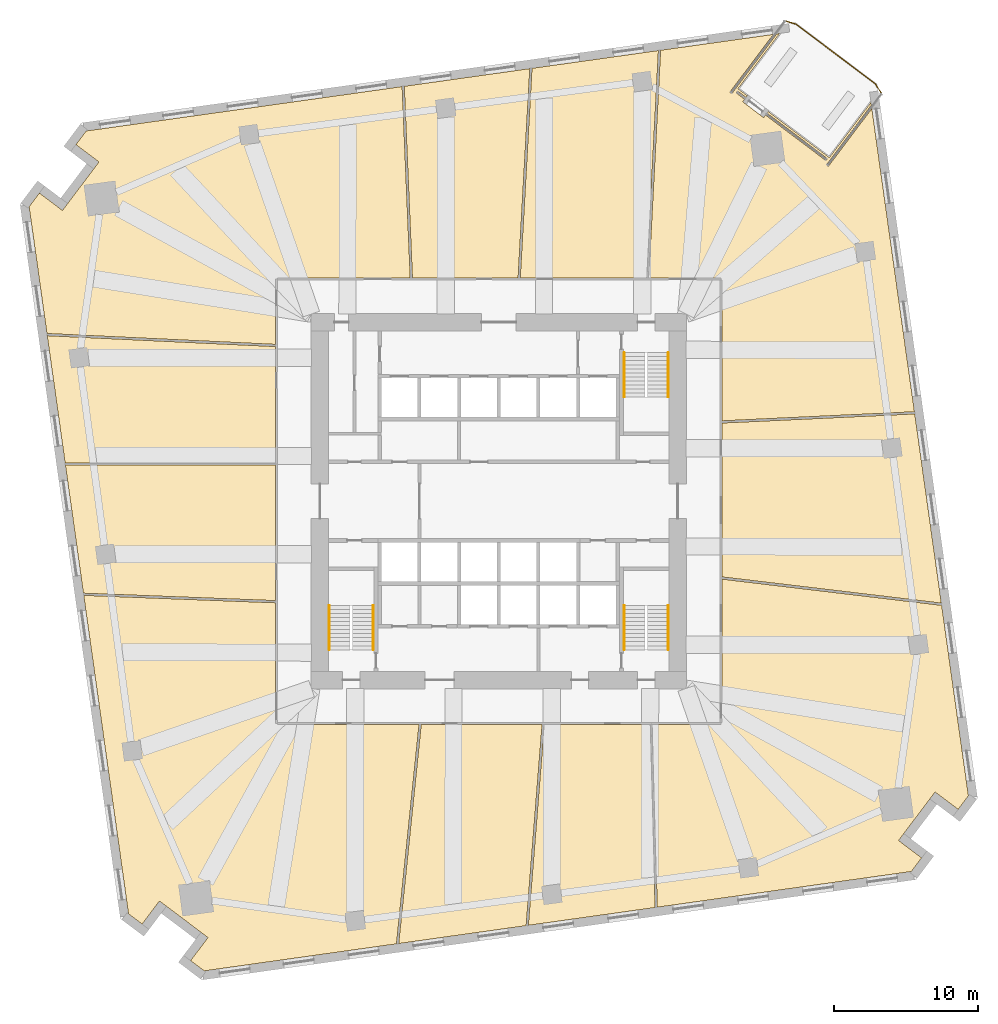
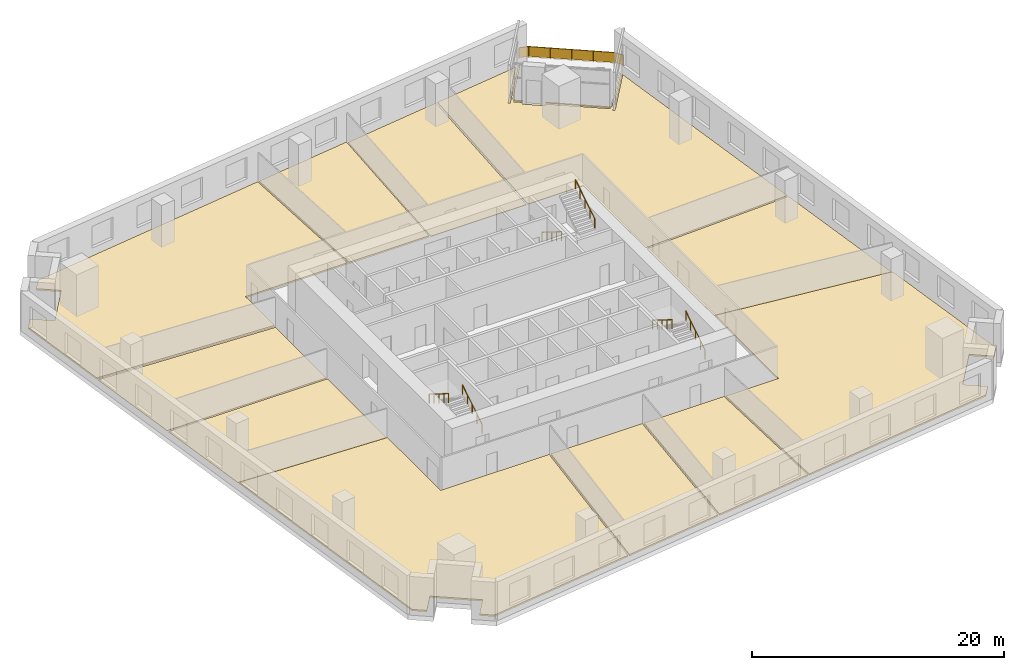
# One storey, part 11 of 12: 11 coverings, 7 railings.
"""IFC4 building model written with IfcOpenShell, lengths in metres."""

from ifc_helpers import new_model, si_unit, direction, frame, origin, origin_2d, place, context, subcontext, project, spatial, polyline, rectangle, circle, outline, extrude, material, layer, layer_set, type_object, element, save


model = new_model("IFC4")

# Units and contexts
model_context = context("Model", 3, precision=1e-05, world=origin(), true_north=direction((0.0, 1.0)))
body_context = subcontext(model_context, "Body", "Model", "MODEL_VIEW")
ifc_project = project(units=[si_unit("LENGTHUNIT", "METRE"), si_unit("AREAUNIT", "SQUARE_METRE"), si_unit("VOLUMEUNIT", "CUBIC_METRE"), si_unit("PLANEANGLEUNIT", "RADIAN"), si_unit("MASSUNIT", "GRAM", prefix="KILO")], contexts=[model_context])

# Site, building, storey
site_placement = place(None, origin())
site = spatial("IfcSite", under=ifc_project, at=site_placement, CompositionType="ELEMENT")
building_placement = place(site_placement, origin())
building = spatial("IfcBuilding", under=site, at=building_placement, Name="Dilmun Exchange Tower", CompositionType="ELEMENT")
storey_placement = place(building_placement, frame((0.0, 0.0, 51.300048828125)))
storey = spatial("IfcBuildingStorey", under=building, at=storey_placement, Name="L11", CompositionType="ELEMENT", Elevation=51.300048828125)

# Coverings
ifc_material_1 = material(Name="Carpet floor finish 50")
ifc_layer_1 = layer(ifc_material_1, 0.050048828125)
ifc_layer_set_1 = layer_set([ifc_layer_1], Name="Carpet floor finish 50")
covering_type_1 = type_object("IfcCoveringType", Name="Carpet floor finish 50", PredefinedType="FLOORING", material=ifc_layer_set_1)
covering_1_placement = place(storey_placement, origin())
element("IfcCovering", 1, at=covering_1_placement, inside=storey, type_object=covering_type_1, Name="Carpet floor finish 50 Settlement office", PredefinedType="FLOORING", context=body_context, shape_type="SweptSolid", body=[
    extrude(outline(polyline([(-15.47509765625, 10.721923828125), (-15.47509765625, 2.64697265625), (-30.0595703125, 2.651611328125), (-31.299560546875, 11.474609375), (-15.47509765625, 10.721923828125)])), origin(), (0.0, 0.0, 1.0), 0.050048828125),
])
covering_2_placement = place(storey_placement, origin())
element("IfcCovering", 2, at=covering_2_placement, inside=storey, type_object=covering_type_1, Name="Carpet floor finish 50 Broker office", PredefinedType="FLOORING", context=body_context, shape_type="SweptSolid", body=[
    extrude(outline(polyline([(-15.47509765625, 2.4970703125), (-15.47509765625, -6.889892578125), (-28.791015625, -6.373779296875), (-30.03857421875, 2.50146484375), (-15.47509765625, 2.4970703125)])), origin(), (0.0, 0.0, 1.0), 0.050048828125),
])
covering_3_placement = place(storey_placement, origin())
element("IfcCovering", 3, at=covering_3_placement, inside=storey, type_object=covering_type_1, Name="Carpet floor finish 50 Clearing office 1", PredefinedType="FLOORING", context=body_context, shape_type="SweptSolid", body=[
    extrude(outline(polyline([(1.488525390625, 15.47509765625), (2.30322265625, 30.010498046875), (11.066650390625, 31.2421875), (10.24658203125, 15.47509765625), (1.488525390625, 15.47509765625)])), origin(), (0.0, 0.0, 1.0), 0.050048828125),
])
covering_4_placement = place(storey_placement, origin())
element("IfcCovering", 4, at=covering_4_placement, inside=storey, type_object=covering_type_1, Name="Carpet floor finish 50 Garden lounge", PredefinedType="FLOORING", context=body_context, shape_type="SweptSolid", body=[
    extrude(outline(polyline([(16.583251953125, 28.593505859375), (17.231689453125, 28.104736328125), (17.145751953125, 27.990478515625), (16.556884765625, 28.43408203125), (16.556884765625, 28.434326171875), (16.556640625, 28.434326171875), (16.556396484375, 28.4345703125), (16.556396484375, 28.4345703125), (16.55615234375, 28.4345703125), (16.555908203125, 28.4345703125), (16.555908203125, 28.4345703125), (16.5556640625, 28.4345703125), (16.555419921875, 28.4345703125), (16.55517578125, 28.4345703125), (16.554931640625, 28.434326171875), (16.5546875, 28.434326171875), (16.5546875, 28.43408203125), (16.554443359375, 28.43408203125), (16.554443359375, 28.433837890625), (16.55419921875, 28.433837890625), (16.4580078125, 28.305908203125), (16.457763671875, 28.305908203125), (16.457763671875, 28.3056640625), (16.457763671875, 28.305419921875), (16.45751953125, 28.305419921875), (16.45751953125, 28.30517578125), (16.45751953125, 28.304931640625), (16.45751953125, 28.3046875), (16.45751953125, 28.304443359375), (16.45751953125, 28.30419921875), (16.457763671875, 28.30419921875), (16.457763671875, 28.303955078125), (16.457763671875, 28.3037109375), (16.4580078125, 28.3037109375), (16.4580078125, 28.303466796875), (16.458251953125, 28.30322265625), (16.45849609375, 28.30322265625), (17.047119140625, 27.859619140625), (16.916015625, 27.685546875), (16.915771484375, 27.685302734375), (16.915771484375, 27.685302734375), (16.91552734375, 27.68505859375), (16.91552734375, 27.684814453125), (16.91552734375, 27.6845703125), (16.91552734375, 27.684326171875), (16.91552734375, 27.68408203125), (16.91552734375, 27.68408203125), (16.91552734375, 27.683837890625), (16.91552734375, 27.68359375), (16.91552734375, 27.68359375), (16.915771484375, 27.683349609375), (16.915771484375, 27.68310546875), (16.916015625, 27.68310546875), (16.916015625, 27.682861328125), (16.916259765625, 27.6826171875), (18.353759765625, 26.599609375), (18.35400390625, 26.599365234375), (18.35400390625, 26.599365234375), (18.354248046875, 26.59912109375), (18.3544921875, 26.59912109375), (18.354736328125, 26.59912109375), (18.354736328125, 26.59912109375), (18.35498046875, 26.59912109375), (18.355224609375, 26.59912109375), (18.35546875, 26.59912109375), (18.355712890625, 26.59912109375), (18.355712890625, 26.599365234375), (18.35595703125, 26.599365234375), (18.356201171875, 26.599609375), (18.356201171875, 26.599609375), (18.3564453125, 26.599853515625), (18.356689453125, 26.599853515625), (18.48779296875, 26.77392578125), (22.67041015625, 23.622314453125), (22.67041015625, 23.6220703125), (22.670654296875, 23.6220703125), (22.6708984375, 23.621826171875), (22.6708984375, 23.621826171875), (22.671142578125, 23.621826171875), (22.67138671875, 23.621826171875), (22.67138671875, 23.621826171875), (22.671630859375, 23.621826171875), (22.671875, 23.621826171875), (22.672119140625, 23.621826171875), (22.67236328125, 23.6220703125), (22.672607421875, 23.6220703125), (22.672607421875, 23.622314453125), (22.6728515625, 23.622314453125), (22.6728515625, 23.62255859375), (22.673095703125, 23.62255859375), (22.769287109375, 23.75048828125), (22.76953125, 23.75048828125), (22.76953125, 23.750732421875), (22.76953125, 23.7509765625), (22.769775390625, 23.751220703125), (22.769775390625, 23.751220703125), (22.769775390625, 23.75146484375), (22.769775390625, 23.751708984375), (22.769775390625, 23.751953125), (22.769775390625, 23.752197265625), (22.76953125, 23.752197265625), (22.76953125, 23.75244140625), (22.76953125, 23.752685546875), (22.769287109375, 23.752685546875), (22.769287109375, 23.7529296875), (22.76904296875, 23.753173828125), (22.768798828125, 23.753173828125), (18.58642578125, 26.905029296875), (18.672607421875, 27.019287109375), (22.914794921875, 23.822265625), (25.80078125, 27.65185546875), (25.828857421875, 27.451416015625), (22.713134765625, 23.31689453125), (22.713134765625, 23.31689453125), (22.712890625, 23.316650390625), (22.712890625, 23.31640625), (22.712890625, 23.316162109375), (22.712890625, 23.316162109375), (22.712890625, 23.31591796875), (22.712890625, 23.315673828125), (22.712890625, 23.3154296875), (22.712890625, 23.315185546875), (22.712890625, 23.315185546875), (22.712890625, 23.31494140625), (22.713134765625, 23.314697265625), (22.713134765625, 23.314697265625), (22.71337890625, 23.314453125), (22.71337890625, 23.314208984375), (22.713623046875, 23.314208984375), (22.84130859375, 23.218017578125), (22.841552734375, 23.2177734375), (22.841796875, 23.2177734375), (22.841796875, 23.217529296875), (22.842041015625, 23.217529296875), (22.84228515625, 23.217529296875), (22.842529296875, 23.217529296875), (22.8427734375, 23.217529296875), (22.843017578125, 23.217529296875), (22.843017578125, 23.217529296875), (22.84326171875, 23.217529296875), (22.843505859375, 23.217529296875), (22.843505859375, 23.2177734375), (22.84375, 23.2177734375), (22.843994140625, 23.218017578125), (22.843994140625, 23.218017578125), (22.84423828125, 23.21826171875), (25.861083984375, 27.2216796875), (28.815185546875, 6.2021484375), (15.47509765625, 5.57177734375), (15.47509765625, 15.47509765625), (10.396728515625, 15.47509765625), (11.218017578125, 31.263427734375), (19.0390625, 32.36279296875), (16.022216796875, 28.35888671875), (16.02197265625, 28.35888671875), (16.02197265625, 28.358642578125), (16.021728515625, 28.3583984375), (16.021728515625, 28.3583984375), (16.021728515625, 28.358154296875), (16.021728515625, 28.35791015625), (16.021728515625, 28.35791015625), (16.021728515625, 28.357666015625), (16.021728515625, 28.357421875), (16.021728515625, 28.357177734375), (16.02197265625, 28.35693359375), (16.02197265625, 28.356689453125), (16.022216796875, 28.356689453125), (16.022216796875, 28.3564453125), (16.0224609375, 28.3564453125), (16.0224609375, 28.356201171875), (16.150390625, 28.260009765625), (16.150390625, 28.259765625), (16.150634765625, 28.259765625), (16.15087890625, 28.259765625), (16.15087890625, 28.259521484375), (16.151123046875, 28.259521484375), (16.1513671875, 28.259521484375), (16.151611328125, 28.259521484375), (16.15185546875, 28.259521484375), (16.152099609375, 28.259521484375), (16.152099609375, 28.259765625), (16.15234375, 28.259765625), (16.152587890625, 28.259765625), (16.152587890625, 28.260009765625), (16.15283203125, 28.260009765625), (16.153076171875, 28.26025390625), (16.153076171875, 28.260498046875), (19.268798828125, 32.39501953125), (19.468994140625, 32.423095703125), (16.583251953125, 28.593505859375)])), origin(), (0.0, 0.0, 1.0), 0.050048828125),
])
covering_5_placement = place(storey_placement, origin())
element("IfcCovering", 5, at=covering_5_placement, inside=storey, type_object=covering_type_1, Name="Carpet floor finish 50 Clearing office 2", PredefinedType="FLOORING", context=body_context, shape_type="SweptSolid", body=[
    extrude(outline(polyline([(15.47509765625, -5.24755859375), (15.47509765625, 5.421630859375), (28.836181640625, 6.052978515625), (30.679443359375, -7.06298828125), (15.47509765625, -5.24755859375)])), origin(), (0.0, 0.0, 1.0), 0.050048828125),
])
ifc_material_2 = material(Name="Raised access floor 150")
ifc_layer_2 = layer(ifc_material_2, 0.14990234375)
ifc_layer_set_2 = layer_set([ifc_layer_2], Name="Raised access floor 150")
covering_type_2 = type_object("IfcCoveringType", Name="Raised access floor 150", PredefinedType="FLOORING", material=ifc_layer_set_2)
covering_6_placement = place(storey_placement, origin())
element("IfcCovering", 6, at=covering_6_placement, inside=storey, type_object=covering_type_2, Name="Raised access floor 150 Market operations room 1", PredefinedType="FLOORING", context=body_context, shape_type="SweptSolid", body=[
    extrude(outline(polyline([(-6.13525390625, 15.47509765625), (-15.47509765625, 15.47509765625), (-15.47509765625, 10.8720703125), (-31.32080078125, 11.625732421875), (-32.556396484375, 20.41845703125), (-31.843994140625, 21.364013671875), (-30.248291015625, 20.16162109375), (-30.248046875, 20.16162109375), (-30.247802734375, 20.161376953125), (-30.24755859375, 20.161376953125), (-30.247314453125, 20.161376953125), (-30.247314453125, 20.1611328125), (-30.2470703125, 20.1611328125), (-30.246826171875, 20.1611328125), (-30.24658203125, 20.1611328125), (-30.24658203125, 20.161376953125), (-30.246337890625, 20.161376953125), (-30.24609375, 20.161376953125), (-30.245849609375, 20.16162109375), (-30.245849609375, 20.16162109375), (-30.24560546875, 20.16162109375), (-30.24560546875, 20.161865234375), (-30.245361328125, 20.162109375), (-29.88427734375, 20.64111328125), (-29.884033203125, 20.641357421875), (-29.884033203125, 20.6416015625), (-29.884033203125, 20.6416015625), (-29.884033203125, 20.6416015625), (-28.078857421875, 23.037109375), (-28.07861328125, 23.037353515625), (-27.7177734375, 23.516357421875), (-27.717529296875, 23.516357421875), (-27.717529296875, 23.5166015625), (-27.717529296875, 23.516845703125), (-27.71728515625, 23.51708984375), (-27.71728515625, 23.51708984375), (-27.71728515625, 23.517333984375), (-27.71728515625, 23.517578125), (-27.71728515625, 23.517822265625), (-27.71728515625, 23.51806640625), (-27.717529296875, 23.51806640625), (-27.717529296875, 23.518310546875), (-27.717529296875, 23.5185546875), (-27.7177734375, 23.518798828125), (-27.718017578125, 23.518798828125), (-27.718017578125, 23.51904296875), (-27.718017578125, 23.51904296875), (-29.313720703125, 24.7216796875), (-28.601318359375, 25.667236328125), (-6.699951171875, 28.745361328125), (-6.13525390625, 15.47509765625)])), origin(), (0.0, 0.0, 1.0), 0.14990234375),
])
covering_7_placement = place(storey_placement, origin())
element("IfcCovering", 7, at=covering_7_placement, inside=storey, type_object=covering_type_2, Name="Raised access floor 150 Market operations room 2", PredefinedType="FLOORING", context=body_context, shape_type="SweptSolid", body=[
    extrude(outline(polyline([(-15.47509765625, -7.0400390625), (-15.47509765625, -15.47509765625), (-5.526123046875, -15.47509765625), (-7.09130859375, -30.68359375), (-20.41845703125, -32.556396484375), (-21.364013671875, -31.843994140625), (-20.16162109375, -30.248291015625), (-20.16162109375, -30.248046875), (-20.161376953125, -30.247802734375), (-20.161376953125, -30.24755859375), (-20.161376953125, -30.247314453125), (-20.1611328125, -30.247314453125), (-20.1611328125, -30.2470703125), (-20.1611328125, -30.246826171875), (-20.1611328125, -30.24658203125), (-20.161376953125, -30.24658203125), (-20.161376953125, -30.246337890625), (-20.161376953125, -30.24609375), (-20.16162109375, -30.245849609375), (-20.16162109375, -30.245849609375), (-20.16162109375, -30.24560546875), (-20.161865234375, -30.24560546875), (-20.162109375, -30.245361328125), (-20.64111328125, -29.88427734375), (-20.641357421875, -29.884033203125), (-20.6416015625, -29.884033203125), (-20.6416015625, -29.884033203125), (-20.6416015625, -29.884033203125), (-23.037109375, -28.078857421875), (-23.037353515625, -28.07861328125), (-23.516357421875, -27.7177734375), (-23.516357421875, -27.717529296875), (-23.5166015625, -27.717529296875), (-23.516845703125, -27.717529296875), (-23.51708984375, -27.71728515625), (-23.51708984375, -27.71728515625), (-23.517333984375, -27.71728515625), (-23.517578125, -27.71728515625), (-23.517822265625, -27.71728515625), (-23.51806640625, -27.71728515625), (-23.51806640625, -27.717529296875), (-23.518310546875, -27.717529296875), (-23.5185546875, -27.717529296875), (-23.518798828125, -27.7177734375), (-23.518798828125, -27.718017578125), (-23.51904296875, -27.718017578125), (-23.51904296875, -27.718017578125), (-24.7216796875, -29.313720703125), (-25.667236328125, -28.601318359375), (-28.77001953125, -6.524658203125), (-15.47509765625, -7.0400390625)])), origin(), (0.0, 0.0, 1.0), 0.14990234375),
])
covering_8_placement = place(storey_placement, origin())
element("IfcCovering", 8, at=covering_8_placement, inside=storey, type_object=covering_type_2, Name="Raised access floor 150 Control room", PredefinedType="FLOORING", context=body_context, shape_type="SweptSolid", body=[
    extrude(outline(polyline([(1.33837890625, 15.47509765625), (-5.985107421875, 15.47509765625), (-6.55078125, 28.76611328125), (2.15185546875, 29.9892578125), (1.33837890625, 15.47509765625)])), origin(), (0.0, 0.0, 1.0), 0.14990234375),
])
covering_9_placement = place(storey_placement, origin())
element("IfcCovering", 9, at=covering_9_placement, inside=storey, type_object=covering_type_2, Name="Raised access floor 150 Data room 1", PredefinedType="FLOORING", context=body_context, shape_type="SweptSolid", body=[
    extrude(outline(polyline([(-5.375244140625, -15.47509765625), (3.004150390625, -15.47509765625), (1.896728515625, -29.42041015625), (-6.9384765625, -30.662109375), (-5.375244140625, -15.47509765625)])), origin(), (0.0, 0.0, 1.0), 0.14990234375),
])
covering_10_placement = place(storey_placement, origin())
element("IfcCovering", 10, at=covering_10_placement, inside=storey, type_object=covering_type_2, Name="Raised access floor 150 Data room 2", PredefinedType="FLOORING", context=body_context, shape_type="SweptSolid", body=[
    extrude(outline(polyline([(3.15478515625, -15.47509765625), (10.491455078125, -15.47509765625), (10.8359375, -28.1640625), (2.049072265625, -29.39892578125), (3.15478515625, -15.47509765625)])), origin(), (0.0, 0.0, 1.0), 0.14990234375),
])
covering_11_placement = place(storey_placement, origin())
element("IfcCovering", 11, at=covering_11_placement, inside=storey, type_object=covering_type_2, Name="Raised access floor 150 Market operations room 3", PredefinedType="FLOORING", context=body_context, shape_type="SweptSolid", body=[
    extrude(outline(polyline([(10.641357421875, -15.47509765625), (15.47509765625, -15.47509765625), (15.47509765625, -5.398681640625), (30.701171875, -7.216552734375), (32.556396484375, -20.41845703125), (31.843994140625, -21.364013671875), (30.248291015625, -20.16162109375), (30.248046875, -20.16162109375), (30.247802734375, -20.161376953125), (30.24755859375, -20.161376953125), (30.247314453125, -20.161376953125), (30.247314453125, -20.1611328125), (30.2470703125, -20.1611328125), (30.246826171875, -20.1611328125), (30.24658203125, -20.1611328125), (30.24658203125, -20.161376953125), (30.246337890625, -20.161376953125), (30.24609375, -20.161376953125), (30.245849609375, -20.16162109375), (30.245849609375, -20.16162109375), (30.24560546875, -20.16162109375), (30.24560546875, -20.161865234375), (30.245361328125, -20.162109375), (29.88427734375, -20.64111328125), (29.884033203125, -20.641357421875), (29.884033203125, -20.6416015625), (29.884033203125, -20.6416015625), (29.884033203125, -20.6416015625), (28.078857421875, -23.037109375), (28.07861328125, -23.037353515625), (27.7177734375, -23.516357421875), (27.717529296875, -23.516357421875), (27.717529296875, -23.5166015625), (27.717529296875, -23.516845703125), (27.71728515625, -23.51708984375), (27.71728515625, -23.51708984375), (27.71728515625, -23.517333984375), (27.71728515625, -23.517578125), (27.71728515625, -23.517822265625), (27.71728515625, -23.51806640625), (27.717529296875, -23.51806640625), (27.717529296875, -23.518310546875), (27.717529296875, -23.5185546875), (27.7177734375, -23.518798828125), (27.718017578125, -23.518798828125), (27.718017578125, -23.51904296875), (27.718017578125, -23.51904296875), (29.313720703125, -24.7216796875), (28.601318359375, -25.667236328125), (10.985595703125, -28.14306640625), (10.641357421875, -15.47509765625)])), origin(), (0.0, 0.0, 1.0), 0.14990234375),
])

# Railings
ifc_material_3 = material(Name="Stainless steel", Category="steel")
railing_type_1 = type_object("IfcRailingType", Name="Stair handrail 900", PredefinedType="HANDRAIL", material=ifc_material_3)
railing_1_placement = place(storey_placement, frame((8.699951171875, 10.300048828125, 0.175048828125)))
element("IfcRailing", 12, at=railing_1_placement, inside=storey, type_object=railing_type_1, Name="L11 ST1 stair handrail 1", PredefinedType="HANDRAIL", context=body_context, shape_type="SweptSolid", body=[
    extrude(circle(Radius=0.02392578125, at=origin_2d()), frame((0.0, 0.0, 0.8759765625), z_axis=(0.0, -0.848028513186, 0.529950602248), x_axis=(1.0, 0.0, 0.0)), (0.0, 0.0, 1.0), 3.632080078125),
    extrude(circle(Radius=0.02099609375, at=origin_2d()), origin(), (0.0, 0.0, 1.0), 0.851806640625),
    extrude(circle(Radius=0.02099609375, at=origin_2d()), frame((0.0, -0.77001953125, 0.481201171875)), (0.0, 0.0, 1.0), 0.851806640625),
    extrude(circle(Radius=0.02099609375, at=origin_2d()), frame((0.0, -1.5400390625, 0.96240234375)), (0.0, 0.0, 1.0), 0.851806640625),
    extrude(circle(Radius=0.02099609375, at=origin_2d()), frame((0.0, -2.31005859375, 1.443603515625)), (0.0, 0.0, 1.0), 0.851806640625),
    extrude(circle(Radius=0.02099609375, at=origin_2d()), frame((0.0, -3.080078125, 1.9248046875)), (0.0, 0.0, 1.0), 0.851806640625),
])
railing_2_placement = place(storey_placement, frame((11.75, 7.219970703125, 2.27490234375)))
element("IfcRailing", 13, at=railing_2_placement, inside=storey, type_object=railing_type_1, Name="L11 ST1 stair handrail 2", PredefinedType="HANDRAIL", context=body_context, shape_type="SweptSolid", body=[
    extrude(circle(Radius=0.02392578125, at=origin_2d()), frame((0.0, 0.0, 0.8759765625), z_axis=(0.0, 0.847998304005, 0.529998940003), x_axis=(-1.0, 0.0, 0.0)), (0.0, 0.0, 1.0), 3.632080078125),
    extrude(circle(Radius=0.02099609375, at=origin_2d()), origin(), (0.0, 0.0, 1.0), 0.851806640625),
    extrude(circle(Radius=0.02099609375, at=origin_2d()), frame((0.0, 0.77001953125, 0.481201171875)), (0.0, 0.0, 1.0), 0.851806640625),
    extrude(circle(Radius=0.02099609375, at=origin_2d()), frame((0.0, 1.5400390625, 0.96240234375)), (0.0, 0.0, 1.0), 0.851806640625),
    extrude(circle(Radius=0.02099609375, at=origin_2d()), frame((0.0, 2.31005859375, 1.44384765625)), (0.0, 0.0, 1.0), 0.851806640625),
    extrude(circle(Radius=0.02099609375, at=origin_2d()), frame((0.0, 3.080078125, 1.925048828125)), (0.0, 0.0, 1.0), 0.851806640625),
])
railing_3_placement = place(storey_placement, frame((-8.699951171875, -10.300048828125, 0.175048828125)))
element("IfcRailing", 14, at=railing_3_placement, inside=storey, type_object=railing_type_1, Name="L11 ST2 stair handrail 1", PredefinedType="HANDRAIL", context=body_context, shape_type="SweptSolid", body=[
    extrude(circle(Radius=0.02392578125, at=origin_2d()), frame((0.0, 0.0, 0.8759765625), z_axis=(0.0, 0.848028513186, 0.529950602248), x_axis=(-1.0, 0.0, 0.0)), (0.0, 0.0, 1.0), 3.632080078125),
    extrude(circle(Radius=0.02099609375, at=origin_2d()), origin(), (0.0, 0.0, 1.0), 0.851806640625),
    extrude(circle(Radius=0.02099609375, at=origin_2d()), frame((0.0, 0.77001953125, 0.481201171875)), (0.0, 0.0, 1.0), 0.851806640625),
    extrude(circle(Radius=0.02099609375, at=origin_2d()), frame((0.0, 1.5400390625, 0.96240234375)), (0.0, 0.0, 1.0), 0.851806640625),
    extrude(circle(Radius=0.02099609375, at=origin_2d()), frame((0.0, 2.31005859375, 1.443603515625)), (0.0, 0.0, 1.0), 0.851806640625),
    extrude(circle(Radius=0.02099609375, at=origin_2d()), frame((0.0, 3.080078125, 1.9248046875)), (0.0, 0.0, 1.0), 0.851806640625),
])
railing_4_placement = place(storey_placement, frame((-11.75, -7.219970703125, 2.27490234375)))
element("IfcRailing", 15, at=railing_4_placement, inside=storey, type_object=railing_type_1, Name="L11 ST2 stair handrail 2", PredefinedType="HANDRAIL", context=body_context, shape_type="SweptSolid", body=[
    extrude(circle(Radius=0.02392578125, at=origin_2d()), frame((0.0, 0.0, 0.8759765625), z_axis=(0.0, -0.847998304005, 0.529998940003), x_axis=(1.0, 0.0, 0.0)), (0.0, 0.0, 1.0), 3.632080078125),
    extrude(circle(Radius=0.02099609375, at=origin_2d()), origin(), (0.0, 0.0, 1.0), 0.851806640625),
    extrude(circle(Radius=0.02099609375, at=origin_2d()), frame((0.0, -0.77001953125, 0.481201171875)), (0.0, 0.0, 1.0), 0.851806640625),
    extrude(circle(Radius=0.02099609375, at=origin_2d()), frame((0.0, -1.5400390625, 0.96240234375)), (0.0, 0.0, 1.0), 0.851806640625),
    extrude(circle(Radius=0.02099609375, at=origin_2d()), frame((0.0, -2.31005859375, 1.44384765625)), (0.0, 0.0, 1.0), 0.851806640625),
    extrude(circle(Radius=0.02099609375, at=origin_2d()), frame((0.0, -3.080078125, 1.925048828125)), (0.0, 0.0, 1.0), 0.851806640625),
])
railing_5_placement = place(storey_placement, frame((11.75, -10.300048828125, 0.175048828125)))
element("IfcRailing", 16, at=railing_5_placement, inside=storey, type_object=railing_type_1, Name="L11 ST3 stair handrail 1", PredefinedType="HANDRAIL", context=body_context, shape_type="SweptSolid", body=[
    extrude(circle(Radius=0.02392578125, at=origin_2d()), frame((0.0, 0.0, 0.8759765625), z_axis=(0.0, 0.848028513186, 0.529950602248), x_axis=(-1.0, 0.0, 0.0)), (0.0, 0.0, 1.0), 3.632080078125),
    extrude(circle(Radius=0.02099609375, at=origin_2d()), origin(), (0.0, 0.0, 1.0), 0.851806640625),
    extrude(circle(Radius=0.02099609375, at=origin_2d()), frame((0.0, 0.77001953125, 0.481201171875)), (0.0, 0.0, 1.0), 0.851806640625),
    extrude(circle(Radius=0.02099609375, at=origin_2d()), frame((0.0, 1.5400390625, 0.96240234375)), (0.0, 0.0, 1.0), 0.851806640625),
    extrude(circle(Radius=0.02099609375, at=origin_2d()), frame((0.0, 2.31005859375, 1.443603515625)), (0.0, 0.0, 1.0), 0.851806640625),
    extrude(circle(Radius=0.02099609375, at=origin_2d()), frame((0.0, 3.080078125, 1.9248046875)), (0.0, 0.0, 1.0), 0.851806640625),
])
railing_6_placement = place(storey_placement, frame((8.699951171875, -7.219970703125, 2.27490234375)))
element("IfcRailing", 17, at=railing_6_placement, inside=storey, type_object=railing_type_1, Name="L11 ST3 stair handrail 2", PredefinedType="HANDRAIL", context=body_context, shape_type="SweptSolid", body=[
    extrude(circle(Radius=0.02392578125, at=origin_2d()), frame((0.0, 0.0, 0.8759765625), z_axis=(0.0, -0.847998304005, 0.529998940003), x_axis=(1.0, 0.0, 0.0)), (0.0, 0.0, 1.0), 3.632080078125),
    extrude(circle(Radius=0.02099609375, at=origin_2d()), origin(), (0.0, 0.0, 1.0), 0.851806640625),
    extrude(circle(Radius=0.02099609375, at=origin_2d()), frame((0.0, -0.77001953125, 0.481201171875)), (0.0, 0.0, 1.0), 0.851806640625),
    extrude(circle(Radius=0.02099609375, at=origin_2d()), frame((0.0, -1.5400390625, 0.96240234375)), (0.0, 0.0, 1.0), 0.851806640625),
    extrude(circle(Radius=0.02099609375, at=origin_2d()), frame((0.0, -2.31005859375, 1.44384765625)), (0.0, 0.0, 1.0), 0.851806640625),
    extrude(circle(Radius=0.02099609375, at=origin_2d()), frame((0.0, -3.080078125, 1.925048828125)), (0.0, 0.0, 1.0), 0.851806640625),
])
railing_type_2 = type_object("IfcRailingType", Name="Terrace guard 1100 stainless steel", PredefinedType="GUARDRAIL", material=ifc_material_3)
railing_7_placement = place(storey_placement, frame((19.8466796875, 33.29833984375, 0.0)))
element("IfcRailing", 18, at=railing_7_placement, inside=storey, type_object=railing_type_2, Name="Terrace guard 1", PredefinedType="GUARDRAIL", context=body_context, shape_type="SweptSolid", body=[
    extrude(circle(Radius=0.02392578125, at=origin_2d()), frame((0.0, 0.0, 1.076171875), z_axis=(0.95791927712, -0.287037730135, 0.0), x_axis=(0.287037730135, 0.95791927712, 0.0)), (0.0, 0.0, 1.0), 0.79443359375),
    extrude(rectangle(XDim=0.011962890625, YDim=0.951904296875, at=origin_2d()), frame((0.0, 0.0, 0.576171875), z_axis=(0.95791927712, -0.287037730135, 0.0), x_axis=(0.287037730135, 0.95791927712, 0.0)), (0.0, 0.0, 1.0), 0.79443359375),
    extrude(circle(Radius=0.02392578125, at=origin_2d()), frame((0.760986328125, -0.22802734375, 1.076171875), z_axis=(0.79863267221, -0.601818789071, 0.0), x_axis=(0.601818789071, 0.79863267221, 0.0)), (0.0, 0.0, 1.0), 6.88818359375),
    extrude(rectangle(XDim=0.011962890625, YDim=0.951904296875, at=origin_2d()), frame((0.760986328125, -0.22802734375, 0.576171875), z_axis=(0.79863267221, -0.601818789071, 0.0), x_axis=(0.601818789071, 0.79863267221, 0.0)), (0.0, 0.0, 1.0), 6.88818359375),
    extrude(circle(Radius=0.02392578125, at=origin_2d()), frame((6.26220703125, -4.37353515625, 1.076171875), z_axis=(0.539934155481, -0.841707257748, 0.0), x_axis=(0.841707257748, 0.539934155481, 0.0)), (0.0, 0.0, 1.0), 0.79443359375),
    extrude(rectangle(XDim=0.011962890625, YDim=0.951904296875, at=origin_2d()), frame((6.26220703125, -4.37353515625, 0.576171875), z_axis=(0.539934155481, -0.841707257748, 0.0), x_axis=(0.841707257748, 0.539934155481, 0.0)), (0.0, 0.0, 1.0), 0.79443359375),
    extrude(circle(Radius=0.02099609375, at=origin_2d()), origin(), (0.0, 0.0, 1.0), 1.052001953125),
    extrude(circle(Radius=0.02099609375, at=origin_2d()), frame((0.760986328125, -0.22802734375, 0.0)), (0.0, 0.0, 1.0), 1.052001953125),
    extrude(circle(Radius=0.02099609375, at=origin_2d()), frame((2.13623046875, -1.264404296875, 0.0)), (0.0, 0.0, 1.0), 1.052001953125),
    extrude(circle(Radius=0.02099609375, at=origin_2d()), frame((3.51171875, -2.30078125, 0.0)), (0.0, 0.0, 1.0), 1.052001953125),
    extrude(circle(Radius=0.02099609375, at=origin_2d()), frame((4.886962890625, -3.337158203125, 0.0)), (0.0, 0.0, 1.0), 1.052001953125),
    extrude(circle(Radius=0.02099609375, at=origin_2d()), frame((6.26220703125, -4.37353515625, 0.0)), (0.0, 0.0, 1.0), 1.052001953125),
    extrude(circle(Radius=0.02099609375, at=origin_2d()), frame((6.691162109375, -5.042236328125, 0.0)), (0.0, 0.0, 1.0), 1.052001953125),
])

save(model, "model.ifc")
